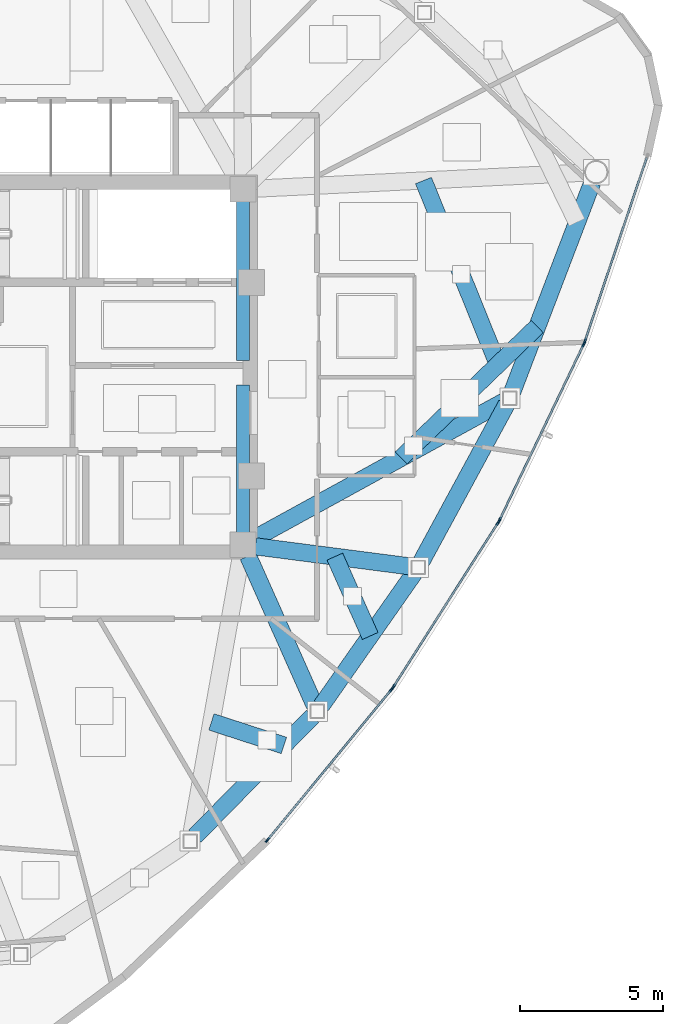
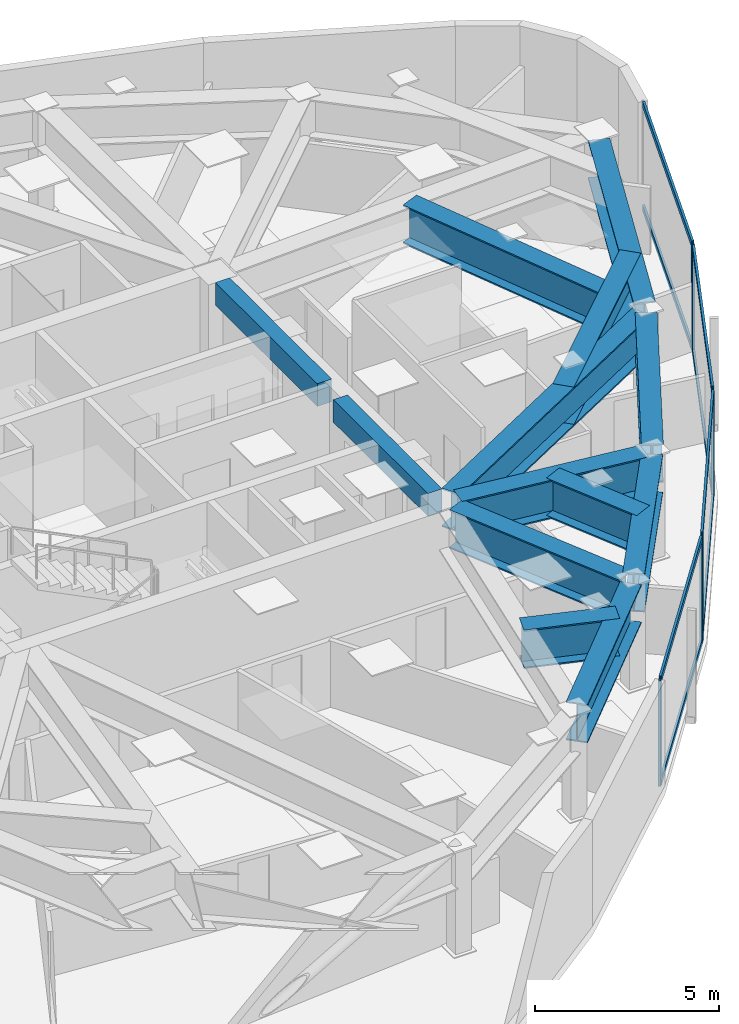
# One storey, part 4 of 13: 15 members, 13 beams, 4 elements without a shape of their own.
"""IFC4 building model written with IfcOpenShell, lengths in metres."""

from ifc_helpers import new_model, si_unit, direction, frame, origin, origin_2d, place, context, subcontext, project, spatial, rectangle, hollow_rectangle, i_section, extrude, source, transform, mapped, material, layer, layer_set, material_profile, profile_set, type_object, type_shapes, element, aggregate, save


model = new_model("IFC4")

# Units and contexts
model_context = context("Model", 3, precision=1e-05, world=origin(), true_north=direction((0.0, 1.0)))
body_context = subcontext(model_context, "Body", "Model", "MODEL_VIEW")
ifc_project = project(units=[si_unit("LENGTHUNIT", "METRE"), si_unit("AREAUNIT", "SQUARE_METRE"), si_unit("VOLUMEUNIT", "CUBIC_METRE"), si_unit("PLANEANGLEUNIT", "RADIAN"), si_unit("MASSUNIT", "GRAM", prefix="KILO")], contexts=[model_context])

# Site, building, storey
site_placement = place(None, origin())
site = spatial("IfcSite", under=ifc_project, at=site_placement, CompositionType="ELEMENT")
building_placement = place(site_placement, origin())
building = spatial("IfcBuilding", under=site, at=building_placement, Name="Tavelor Broadcast Tower", CompositionType="ELEMENT")
storey_placement = place(building_placement, frame((0.0, 0.0, 269.550048828125)))
storey = spatial("IfcBuildingStorey", under=building, at=storey_placement, Name="L64", CompositionType="ELEMENT", Elevation=269.550048828125)

# Beams
ifc_material_1 = material(Name="Concrete C40/50", Category="concrete")
ifc_material_profile_1 = material_profile(ifc_material_1, rectangle(XDim=0.449951171875, YDim=0.75, at=origin_2d()), Name="RC 450x750")
ifc_profile_set_1 = profile_set([ifc_material_profile_1], Name="Concrete C40/50")
beam_type_1 = type_object("IfcBeamType", Name="Basement Core Trim Beam 450x750", PredefinedType="BEAM", material=ifc_profile_set_1)
beam_1_placement = place(storey_placement, frame((56.60009765625, 45.23193359375, 3.125), z_axis=(0.0, 1.0, 0.0), x_axis=(-1.0, 0.0, 0.0)))
element("IfcBeam", 1, at=beam_1_placement, inside=storey, type_object=beam_type_1, Name="L64 Core East-N Tie Girder", PredefinedType="BEAM", context=body_context, shape_type="SweptSolid", body=[
    extrude(rectangle(XDim=0.449951171875, YDim=0.75, at=origin_2d()), origin(), (0.0, 0.0, 1.0), 5.5361328125),
])
beam_2_placement = place(storey_placement, frame((56.60009765625, 39.23193359375, 3.125), z_axis=(0.0, 1.0, 0.0), x_axis=(-1.0, 0.0, 0.0)))
element("IfcBeam", 2, at=beam_2_placement, inside=storey, type_object=beam_type_1, Name="L64 Core East-S Tie Girder", PredefinedType="BEAM", context=body_context, shape_type="SweptSolid", body=[
    extrude(rectangle(XDim=0.449951171875, YDim=0.75, at=origin_2d()), origin(), (0.0, 0.0, 1.0), 5.135986328125),
])
ifc_material_2 = material(Name="Steel S460", Category="steel")
ifc_material_profile_2 = material_profile(ifc_material_2, i_section(OverallWidth=0.60009765625, OverallDepth=1.280029296875, WebThickness=0.02587890625, FlangeThickness=0.044921875, at=origin_2d()), Name="PG 1280x600")
ifc_profile_set_2 = profile_set([ifc_material_profile_2], Name="Steel S460")
beam_type_2 = type_object("IfcBeamType", Name="Upper Setback Transfer Girder PG1350", PredefinedType="BEAM", material=ifc_profile_set_2)
beam_3_placement = place(storey_placement, frame((54.922119140625, 28.6328125, 2.85986328125), z_axis=(0.700176807099, 0.713969494307, 0.0), x_axis=(-0.713969494307, 0.700176807099, 0.0)))
element("IfcBeam", 3, at=beam_3_placement, inside=storey, type_object=beam_type_2, Name="L64 Framed-Tube Ring Spandrel 09", PredefinedType="BEAM", context=body_context, shape_type="SweptSolid", body=[
    extrude(i_section(OverallWidth=0.60009765625, OverallDepth=1.280029296875, WebThickness=0.02587890625, FlangeThickness=0.044921875, at=origin_2d()), origin(), (0.0, 0.0, 1.0), 5.85888671875),
])
beam_4_placement = place(storey_placement, frame((59.330078125, 33.18359375, 2.85986328125), z_axis=(0.57381017658, 0.81898832791, 0.0), x_axis=(-0.81898832791, 0.57381017658, 0.0)))
element("IfcBeam", 4, at=beam_4_placement, inside=storey, type_object=beam_type_2, Name="L64 Framed-Tube Ring Spandrel 10", PredefinedType="BEAM", context=body_context, shape_type="SweptSolid", body=[
    extrude(i_section(OverallWidth=0.60009765625, OverallDepth=1.280029296875, WebThickness=0.02587890625, FlangeThickness=0.044921875, at=origin_2d()), origin(), (0.0, 0.0, 1.0), 5.652099609375),
])
beam_5_placement = place(storey_placement, frame((62.8251953125, 38.22021484375, 2.85986328125), z_axis=(0.47632985399, 0.879266666147, 0.0), x_axis=(-0.879266666147, 0.47632985399, 0.0)))
element("IfcBeam", 5, at=beam_5_placement, inside=storey, type_object=beam_type_2, Name="L64 Framed-Tube Ring Spandrel 11", PredefinedType="BEAM", context=body_context, shape_type="SweptSolid", body=[
    extrude(i_section(OverallWidth=0.60009765625, OverallDepth=1.280029296875, WebThickness=0.02587890625, FlangeThickness=0.044921875, at=origin_2d()), origin(), (0.0, 0.0, 1.0), 6.23046875),
])
beam_6_placement = place(storey_placement, frame((65.992919921875, 44.133544921875, 2.85986328125), z_axis=(0.356694129759, 0.934221225297, 0.0), x_axis=(-0.934221225297, 0.356694129759, 0.0)))
element("IfcBeam", 6, at=beam_6_placement, inside=storey, type_object=beam_type_2, Name="L64 Framed-Tube Ring Spandrel 12", PredefinedType="BEAM", context=body_context, shape_type="SweptSolid", body=[
    extrude(i_section(OverallWidth=0.60009765625, OverallDepth=1.280029296875, WebThickness=0.02587890625, FlangeThickness=0.044921875, at=origin_2d()), origin(), (0.0, 0.0, 1.0), 7.815185546875),
])
beam_7_placement = place(storey_placement, frame((56.77587890625, 38.405517578125, 2.85986328125), z_axis=(0.407288107578, -0.913299730333, 0.0), x_axis=(0.913299730333, 0.407288107578, 0.0)))
element("IfcBeam", 7, at=beam_7_placement, inside=storey, type_object=beam_type_2, Name="L64 Radial Primary Floor Girder 10", PredefinedType="BEAM", context=body_context, shape_type="SweptSolid", body=[
    extrude(i_section(OverallWidth=0.60009765625, OverallDepth=1.280029296875, WebThickness=0.02587890625, FlangeThickness=0.044921875, at=origin_2d()), origin(), (0.0, 0.0, 1.0), 5.69287109375),
])
beam_8_placement = place(storey_placement, frame((57.0283203125, 38.74462890625, 2.85986328125), z_axis=(0.991724434726, -0.128384755977, 0.0), x_axis=(0.128384755977, 0.991724434726, 0.0)))
element("IfcBeam", 8, at=beam_8_placement, inside=storey, type_object=beam_type_2, Name="L64 Radial Primary Floor Girder 11", PredefinedType="BEAM", context=body_context, shape_type="SweptSolid", body=[
    extrude(i_section(OverallWidth=0.60009765625, OverallDepth=1.280029296875, WebThickness=0.02587890625, FlangeThickness=0.044921875, at=origin_2d()), origin(), (0.0, 0.0, 1.0), 5.489990234375),
])
beam_9_placement = place(storey_placement, frame((56.978759765625, 39.0078125, 2.85986328125), z_axis=(0.876588297322, 0.481241059136, 0.0), x_axis=(-0.481241059136, 0.876588297322, 0.0)))
element("IfcBeam", 9, at=beam_9_placement, inside=storey, type_object=beam_type_2, Name="L64 Radial Primary Floor Girder 12", PredefinedType="BEAM", context=body_context, shape_type="SweptSolid", body=[
    extrude(i_section(OverallWidth=0.60009765625, OverallDepth=1.280029296875, WebThickness=0.02587890625, FlangeThickness=0.044921875, at=origin_2d()), origin(), (0.0, 0.0, 1.0), 9.9453125),
])
beam_10_placement = place(storey_placement, frame((58.02685546875, 31.798583984375, 2.85986328125), z_axis=(-0.951042160652, 0.30906117301, 0.0), x_axis=(-0.30906117301, -0.951042160652, 0.0)))
element("IfcBeam", 10, at=beam_10_placement, inside=storey, type_object=beam_type_2, Name="L64 Transfer Header Girder 09", PredefinedType="BEAM", context=body_context, shape_type="SweptSolid", body=[
    extrude(i_section(OverallWidth=0.60009765625, OverallDepth=1.280029296875, WebThickness=0.02587890625, FlangeThickness=0.044921875, at=origin_2d()), origin(), (0.0, 0.0, 1.0), 2.66064453125),
])
beam_11_placement = place(storey_placement, frame((61.03515625, 35.6171875, 2.85986328125), z_axis=(-0.406706515506, 0.913558870706, 0.0), x_axis=(-0.913558870706, -0.406706515506, 0.0)))
element("IfcBeam", 11, at=beam_11_placement, inside=storey, type_object=beam_type_2, Name="L64 Transfer Header Girder 10", PredefinedType="BEAM", context=body_context, shape_type="SweptSolid", body=[
    extrude(i_section(OverallWidth=0.60009765625, OverallDepth=1.280029296875, WebThickness=0.02587890625, FlangeThickness=0.044921875, at=origin_2d()), origin(), (0.0, 0.0, 1.0), 3.0302734375),
])
beam_12_placement = place(storey_placement, frame((62.117919921875, 41.8291015625, 2.85986328125), z_axis=(0.71932555711, 0.694673119451, 0.0), x_axis=(-0.694673119451, 0.71932555711, 0.0)))
element("IfcBeam", 12, at=beam_12_placement, inside=storey, type_object=beam_type_2, Name="L64 Transfer Header Girder 11", PredefinedType="BEAM", context=body_context, shape_type="SweptSolid", body=[
    extrude(i_section(OverallWidth=0.60009765625, OverallDepth=1.280029296875, WebThickness=0.02587890625, FlangeThickness=0.044921875, at=origin_2d()), origin(), (0.0, 0.0, 1.0), 6.595703125),
])
beam_13_placement = place(storey_placement, frame((65.48828125, 45.083984375, 2.85986328125), z_axis=(-0.374579022783, 0.927194993349, 0.0), x_axis=(-0.927194993349, -0.374579022783, 0.0)))
element("IfcBeam", 13, at=beam_13_placement, inside=storey, type_object=beam_type_2, Name="L64 Transfer Header Girder 12", PredefinedType="BEAM", context=body_context, shape_type="SweptSolid", body=[
    extrude(i_section(OverallWidth=0.60009765625, OverallDepth=1.280029296875, WebThickness=0.02587890625, FlangeThickness=0.044921875, at=origin_2d()), origin(), (0.0, 0.0, 1.0), 6.926513671875),
])

# Curtain wall, members
ifc_material_3 = material(Name="Architectural Anodized Aluminium", Category="aluminium")
ifc_layer = layer(ifc_material_3, 0.199951171875)
ifc_layer_set = layer_set([ifc_layer], Name="Architectural Anodized Aluminium")
curtain_wall_type = type_object("IfcCurtainWallType", Name="Tower High-Zone Triple-Glazed Curtain Wall CW04", PredefinedType="NOTDEFINED", material=ifc_layer_set)
curtain_wall_1_placement = place(storey_placement, origin())
curtain_wall_1 = element("IfcCurtainWall", 14, at=curtain_wall_1_placement, inside=storey, type_object=curtain_wall_type, Name="L64 Curtain Wall CW04 Run 701", PredefinedType="NOTDEFINED")
ifc_material_profile_3 = material_profile(ifc_material_3, hollow_rectangle(XDim=0.070068359375, YDim=0.199951171875, WallThickness=0.02197265625, at=origin_2d()), Name="RHS 70x200x22")
ifc_profile_set_3 = profile_set([ifc_material_profile_3], Name="Architectural Anodized Aluminium")
member_type_1 = type_object("IfcMemberType", Name="CW04 Extruded Aluminium Mullion 70x200", PredefinedType="MULLION", material=ifc_profile_set_3)
shared_shape_1 = source(origin(), body_context, "Body", "SweptSolid", [
    extrude(hollow_rectangle(XDim=0.070068359375, YDim=0.199951171875, WallThickness=0.02197265625, at=origin_2d()), origin(), (0.0, 0.0, 1.0), 3.5),
])
type_shapes(member_type_1, [shared_shape_1])
member_1_placement = place(storey_placement, frame((57.45361328125, 28.5009765625, 0.0), z_axis=(0.0, 0.0, 1.0), x_axis=(-0.77189752554, 0.635746970158, 0.0)))
member_1 = element("IfcMember", 15, at=member_1_placement, type_object=member_type_1, Name="CW04 mullion 1", PredefinedType="MULLION", context=body_context, shape_type="MappedRepresentation", body=[
    mapped(shared_shape_1, transform((0.0, 0.0, 0.0), scale=1.0)),
])
member_2_placement = place(storey_placement, frame((61.785400390625, 33.76025390625, 0.0), z_axis=(0.0, 0.0, 1.0), x_axis=(-0.77189752554, 0.635746970158, 0.0)))
member_2 = element("IfcMember", 16, at=member_2_placement, type_object=member_type_1, Name="CW04 mullion 2", PredefinedType="MULLION", context=body_context, shape_type="MappedRepresentation", body=[
    mapped(shared_shape_1, transform((0.0, 0.0, 0.0), scale=1.0)),
])

curtain_wall_2_placement = place(storey_placement, origin())
curtain_wall_2 = element("IfcCurtainWall", 17, at=curtain_wall_2_placement, inside=storey, type_object=curtain_wall_type, Name="L64 Curtain Wall CW04 Run 702", PredefinedType="NOTDEFINED")
member_3_placement = place(storey_placement, frame((61.843994140625, 33.841064453125, 0.0), z_axis=(0.0, 0.0, 1.0), x_axis=(-0.843160536611, 0.537661891435, 0.0)))
member_3 = element("IfcMember", 18, at=member_3_placement, type_object=member_type_1, Name="CW04 mullion 1", PredefinedType="MULLION", context=body_context, shape_type="MappedRepresentation", body=[
    mapped(shared_shape_1, transform((0.0, 0.0, 0.0), scale=1.0)),
])
member_4_placement = place(storey_placement, frame((65.499267578125, 39.5732421875, 0.0), z_axis=(0.0, 0.0, 1.0), x_axis=(-0.843160536611, 0.537661891435, 0.0)))
member_4 = element("IfcMember", 19, at=member_4_placement, type_object=member_type_1, Name="CW04 mullion 2", PredefinedType="MULLION", context=body_context, shape_type="MappedRepresentation", body=[
    mapped(shared_shape_1, transform((0.0, 0.0, 0.0), scale=1.0)),
])

curtain_wall_3_placement = place(storey_placement, origin())
curtain_wall_3 = element("IfcCurtainWall", 20, at=curtain_wall_3_placement, inside=storey, type_object=curtain_wall_type, Name="L64 Curtain Wall CW04 Run 703", PredefinedType="NOTDEFINED")
member_5_placement = place(storey_placement, frame((65.5478515625, 39.660400390625, 0.0), z_axis=(0.0, 0.0, 1.0), x_axis=(-0.902027262503, 0.431679067944, 0.0)))
member_5 = element("IfcMember", 21, at=member_5_placement, type_object=member_type_1, Name="CW04 mullion 1", PredefinedType="MULLION", context=body_context, shape_type="MappedRepresentation", body=[
    mapped(shared_shape_1, transform((0.0, 0.0, 0.0), scale=1.0)),
])
member_6_placement = place(storey_placement, frame((68.482666015625, 45.792724609375, 0.0), z_axis=(0.0, 0.0, 1.0), x_axis=(-0.902027262503, 0.431679067944, 0.0)))
member_6 = element("IfcMember", 22, at=member_6_placement, type_object=member_type_1, Name="CW04 mullion 2", PredefinedType="MULLION", context=body_context, shape_type="MappedRepresentation", body=[
    mapped(shared_shape_1, transform((0.0, 0.0, 0.0), scale=1.0)),
])

# Curtain wall, member
curtain_wall_4_placement = place(storey_placement, origin())
curtain_wall_4 = element("IfcCurtainWall", 23, at=curtain_wall_4_placement, inside=storey, type_object=curtain_wall_type, Name="L64 Curtain Wall CW04 Run 704", PredefinedType="NOTDEFINED")
member_7_placement = place(storey_placement, frame((68.52001953125, 45.88525390625, 0.0), z_axis=(0.0, 0.0, 1.0), x_axis=(-0.947635217037, 0.319354811193, 0.0)))
member_7 = element("IfcMember", 24, at=member_7_placement, type_object=member_type_1, Name="CW04 mullion 1", PredefinedType="MULLION", context=body_context, shape_type="MappedRepresentation", body=[
    mapped(shared_shape_1, transform((0.0, 0.0, 0.0), scale=1.0)),
])

# Member
ifc_material_profile_4 = material_profile(ifc_material_3, hollow_rectangle(XDim=0.070068359375, YDim=0.199951171875, WallThickness=0.02197265625, at=origin_2d()), Name="RHS 70x200x22")
ifc_profile_set_4 = profile_set([ifc_material_profile_4], Name="Architectural Anodized Aluminium")
member_type_2 = type_object("IfcMemberType", Name="CW04 Extruded Aluminium Transom 70x200", PredefinedType="USERDEFINED", material=ifc_profile_set_4)
shared_shape_2 = source(origin(), body_context, "Body", "SweptSolid", [
    extrude(hollow_rectangle(XDim=0.070068359375, YDim=0.199951171875, WallThickness=0.02197265625, at=origin_2d()), origin(), (0.0, 0.0, 1.0), 6.74365234375),
])
member_8_placement = place(storey_placement, frame((57.475830078125, 28.52783203125, 0.034912109375), z_axis=(0.635761817112, 0.771885297115, 0.0), x_axis=(-0.771885297115, 0.635761817112, 0.0)))
member_8 = element("IfcMember", 25, at=member_8_placement, type_object=member_type_2, Name="CW04 transom 1.1", ObjectType="TRANSOM", PredefinedType="USERDEFINED", context=body_context, shape_type="MappedRepresentation", body=[
    mapped(shared_shape_2, transform((0.0, 0.0, 0.0), scale=1.0)),
])

member_9_placement = place(storey_placement, frame((57.475830078125, 28.52783203125, 3.46484375), z_axis=(0.635761817112, 0.771885297115, 0.0), x_axis=(-0.771885297115, 0.635761817112, 0.0)))
member_9 = element("IfcMember", 26, at=member_9_placement, type_object=member_type_2, Name="CW04 transom 1.2", ObjectType="TRANSOM", PredefinedType="USERDEFINED", context=body_context, shape_type="MappedRepresentation", body=[
    mapped(shared_shape_2, transform((0.0, 0.0, 0.0), scale=1.0)),
])

aggregate(curtain_wall_1, [member_1, member_2, member_8, member_9])

shared_shape_3 = source(origin(), body_context, "Body", "SweptSolid", [
    extrude(hollow_rectangle(XDim=0.070068359375, YDim=0.199951171875, WallThickness=0.02197265625, at=origin_2d()), origin(), (0.0, 0.0, 1.0), 6.728515625),
])
member_10_placement = place(storey_placement, frame((61.86279296875, 33.87060546875, 0.034912109375), z_axis=(0.53767117549, 0.843154616335, 0.0), x_axis=(-0.843154616335, 0.53767117549, 0.0)))
member_10 = element("IfcMember", 27, at=member_10_placement, type_object=member_type_2, Name="CW04 transom 1.1", ObjectType="TRANSOM", PredefinedType="USERDEFINED", context=body_context, shape_type="MappedRepresentation", body=[
    mapped(shared_shape_3, transform((0.0, 0.0, 0.0), scale=1.0)),
])

member_11_placement = place(storey_placement, frame((61.86279296875, 33.87060546875, 3.46484375), z_axis=(0.53767117549, 0.843154616335, 0.0), x_axis=(-0.843154616335, 0.53767117549, 0.0)))
member_11 = element("IfcMember", 28, at=member_11_placement, type_object=member_type_2, Name="CW04 transom 1.2", ObjectType="TRANSOM", PredefinedType="USERDEFINED", context=body_context, shape_type="MappedRepresentation", body=[
    mapped(shared_shape_3, transform((0.0, 0.0, 0.0), scale=1.0)),
])

aggregate(curtain_wall_2, [member_3, member_4, member_10, member_11])

member_12_placement = place(storey_placement, frame((65.56298828125, 39.69189453125, 0.034912109375), z_axis=(0.431675032817, 0.902029193564, 0.0), x_axis=(-0.902029193564, 0.431675032817, 0.0)))
member_12 = element("IfcMember", 29, at=member_12_placement, type_object=member_type_2, Name="CW04 transom 1.1", ObjectType="TRANSOM", PredefinedType="USERDEFINED", context=body_context, shape_type="MappedRepresentation", body=[
    mapped(shared_shape_3, transform((0.0, 0.0, 0.0), scale=1.0)),
])

member_13_placement = place(storey_placement, frame((65.56298828125, 39.69189453125, 3.46484375), z_axis=(0.431675032817, 0.902029193564, 0.0), x_axis=(-0.902029193564, 0.431675032817, 0.0)))
member_13 = element("IfcMember", 30, at=member_13_placement, type_object=member_type_2, Name="CW04 transom 1.2", ObjectType="TRANSOM", PredefinedType="USERDEFINED", context=body_context, shape_type="MappedRepresentation", body=[
    mapped(shared_shape_3, transform((0.0, 0.0, 0.0), scale=1.0)),
])

aggregate(curtain_wall_3, [member_5, member_6, member_12, member_13])

shared_shape_4 = source(origin(), body_context, "Body", "SweptSolid", [
    extrude(hollow_rectangle(XDim=0.070068359375, YDim=0.199951171875, WallThickness=0.02197265625, at=origin_2d()), origin(), (0.0, 0.0, 1.0), 6.744384765625),
])
type_shapes(member_type_2, [shared_shape_2, shared_shape_3, shared_shape_4])
member_14_placement = place(storey_placement, frame((68.53125, 45.91845703125, 0.034912109375), z_axis=(0.319342746226, 0.947639282867, 0.0), x_axis=(-0.947639282867, 0.319342746226, 0.0)))
member_14 = element("IfcMember", 31, at=member_14_placement, type_object=member_type_2, Name="CW04 transom 1.1", ObjectType="TRANSOM", PredefinedType="USERDEFINED", context=body_context, shape_type="MappedRepresentation", body=[
    mapped(shared_shape_4, transform((0.0, 0.0, 0.0), scale=1.0)),
])

member_15_placement = place(storey_placement, frame((68.53125, 45.91845703125, 3.46484375), z_axis=(0.319342746226, 0.947639282867, 0.0), x_axis=(-0.947639282867, 0.319342746226, 0.0)))
member_15 = element("IfcMember", 32, at=member_15_placement, type_object=member_type_2, Name="CW04 transom 1.2", ObjectType="TRANSOM", PredefinedType="USERDEFINED", context=body_context, shape_type="MappedRepresentation", body=[
    mapped(shared_shape_4, transform((0.0, 0.0, 0.0), scale=1.0)),
])

aggregate(curtain_wall_4, [member_7, member_14, member_15])

save(model, "model.ifc")
